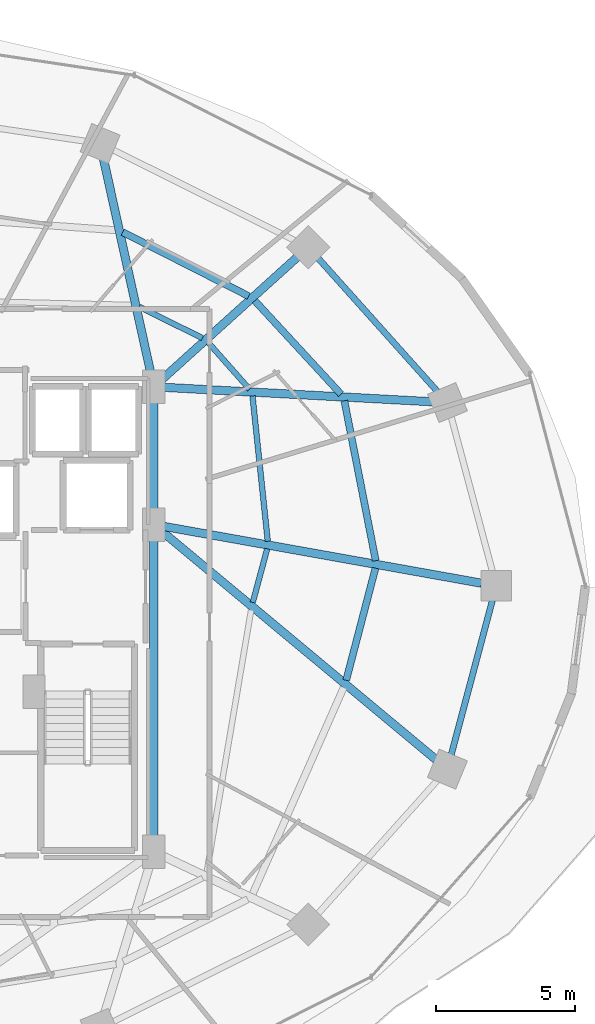
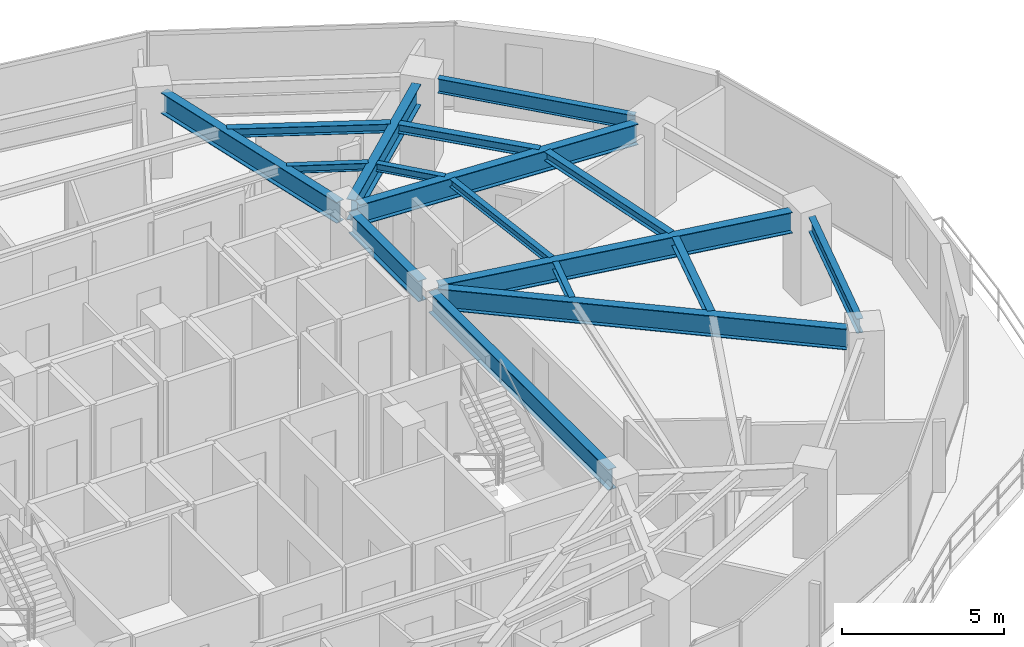
# One storey, part 14 of 29: 17 beams.
"""IFC4 building model written with IfcOpenShell, lengths in metres."""

from ifc_helpers import new_model, si_unit, direction, frame, origin, origin_2d, place, context, subcontext, project, spatial, i_section, extrude, material, material_profile, profile_set, type_object, element, save


model = new_model("IFC4")

# Units and contexts
model_context = context("Model", 3, precision=1e-05, world=origin(), true_north=direction((0.0, 1.0)))
body_context = subcontext(model_context, "Body", "Model", "MODEL_VIEW")
ifc_project = project(units=[si_unit("LENGTHUNIT", "METRE"), si_unit("AREAUNIT", "SQUARE_METRE"), si_unit("VOLUMEUNIT", "CUBIC_METRE"), si_unit("PLANEANGLEUNIT", "RADIAN"), si_unit("MASSUNIT", "GRAM", prefix="KILO")], contexts=[model_context])

# Site, building, storey
site_placement = place(None, origin())
site = spatial("IfcSite", under=ifc_project, at=site_placement, CompositionType="ELEMENT")
building_placement = place(site_placement, origin())
building = spatial("IfcBuilding", under=site, at=building_placement, Name="Vorneva Point Tower", CompositionType="ELEMENT")
storey_placement = place(building_placement, frame((0.0, 0.0, 110.300048828125)))
storey = spatial("IfcBuildingStorey", under=building, at=storey_placement, Name="L29", CompositionType="ELEMENT", Elevation=110.300048828125)

# Beams
ifc_material = material(Name="Steel S355", Category="steel")
ifc_material_profile_1 = material_profile(ifc_material, i_section(OverallWidth=0.300048828125, OverallDepth=0.7880859375, WebThickness=0.014404296875, FlangeThickness=0.02197265625, at=origin_2d()), Name="80Sh1")
ifc_profile_set_1 = profile_set([ifc_material_profile_1], Name="Steel S355")
beam_type_1 = type_object("IfcBeamType", Name="BM-GRD-80Sh1", PredefinedType="USERDEFINED", material=ifc_profile_set_1)
beam_1_placement = place(storey_placement, frame((60.5205078125, 26.0947265625, 2.845947265625), z_axis=(-0.984378310682, 0.176066298476, 0.0), x_axis=(-0.176066298476, -0.984378310682, 0.0)))
element("IfcBeam", 1, at=beam_1_placement, inside=storey, type_object=beam_type_1, Name="L29 Radial Primary Girder 01", ObjectType="GIRDER", PredefinedType="USERDEFINED", context=body_context, shape_type="SweptSolid", body=[
    extrude(i_section(OverallWidth=0.300048828125, OverallDepth=0.7880859375, WebThickness=0.014404296875, FlangeThickness=0.02197265625, at=origin_2d()), origin(), (0.0, 0.0, 1.0), 11.6171875),
])
beam_2_placement = place(storey_placement, frame((58.75830078125, 32.611083984375, 2.845947265625), z_axis=(-0.998554075878, 0.053756465161, 0.0), x_axis=(-0.053756465161, -0.998554075878, 0.0)))
element("IfcBeam", 2, at=beam_2_placement, inside=storey, type_object=beam_type_1, Name="L29 Radial Primary Girder 02", ObjectType="GIRDER", PredefinedType="USERDEFINED", context=body_context, shape_type="SweptSolid", body=[
    extrude(i_section(OverallWidth=0.300048828125, OverallDepth=0.7880859375, WebThickness=0.014404296875, FlangeThickness=0.02197265625, at=origin_2d()), origin(), (0.0, 0.0, 1.0), 9.6826171875),
])
beam_3_placement = place(storey_placement, frame((53.899658203125, 37.801513671875, 2.845947265625), z_axis=(-0.742097300344, -0.670292172729, 0.0), x_axis=(0.670292172729, -0.742097300344, 0.0)))
element("IfcBeam", 3, at=beam_3_placement, inside=storey, type_object=beam_type_1, Name="L29 Radial Primary Girder 03", ObjectType="GIRDER", PredefinedType="USERDEFINED", context=body_context, shape_type="SweptSolid", body=[
    extrude(i_section(OverallWidth=0.300048828125, OverallDepth=0.7880859375, WebThickness=0.014404296875, FlangeThickness=0.02197265625, at=origin_2d()), origin(), (0.0, 0.0, 1.0), 6.599365234375),
])
beam_4_placement = place(storey_placement, frame((46.936767578125, 41.365234375, 2.845947265625), z_axis=(0.215530944428, -0.976497010745, 0.0), x_axis=(0.976497010745, 0.215530944428, 0.0)))
element("IfcBeam", 4, at=beam_4_placement, inside=storey, type_object=beam_type_1, Name="L29 Radial Primary Girder 04", ObjectType="GIRDER", PredefinedType="USERDEFINED", context=body_context, shape_type="SweptSolid", body=[
    extrude(i_section(OverallWidth=0.300048828125, OverallDepth=0.7880859375, WebThickness=0.014404296875, FlangeThickness=0.02197265625, at=origin_2d()), origin(), (0.0, 0.0, 1.0), 8.072998046875),
])
beam_5_placement = place(storey_placement, frame((58.882080078125, 19.76220703125, 2.845947265625), z_axis=(-0.768431550428, 0.639931990376, 0.0), x_axis=(-0.639931990376, -0.768431550428, 0.0)))
element("IfcBeam", 5, at=beam_5_placement, inside=storey, type_object=beam_type_1, Name="L29 Radial Primary Girder 16", ObjectType="GIRDER", PredefinedType="USERDEFINED", context=body_context, shape_type="SweptSolid", body=[
    extrude(i_section(OverallWidth=0.300048828125, OverallDepth=0.7880859375, WebThickness=0.014404296875, FlangeThickness=0.02197265625, at=origin_2d()), origin(), (0.0, 0.0, 1.0), 12.845458984375),
])
beam_6_placement = place(storey_placement, frame((48.75, 16.77001953125, 2.845947265625), z_axis=(0.0, 1.0, 0.0), x_axis=(-1.0, 0.0, 0.0)))
element("IfcBeam", 6, at=beam_6_placement, inside=storey, type_object=beam_type_1, Name="L29 Core Tie Girder CT3", ObjectType="GIRDER", PredefinedType="USERDEFINED", context=body_context, shape_type="SweptSolid", body=[
    extrude(i_section(OverallWidth=0.300048828125, OverallDepth=0.7880859375, WebThickness=0.014404296875, FlangeThickness=0.02197265625, at=origin_2d()), origin(), (0.0, 0.0, 1.0), 11.10986328125),
])
beam_7_placement = place(storey_placement, frame((48.75, 28.52001953125, 2.845947265625), z_axis=(0.0, 1.0, 0.0), x_axis=(-1.0, 0.0, 0.0)))
element("IfcBeam", 7, at=beam_7_placement, inside=storey, type_object=beam_type_1, Name="L29 Core Tie Girder CT4", ObjectType="GIRDER", PredefinedType="USERDEFINED", context=body_context, shape_type="SweptSolid", body=[
    extrude(i_section(OverallWidth=0.300048828125, OverallDepth=0.7880859375, WebThickness=0.014404296875, FlangeThickness=0.02197265625, at=origin_2d()), origin(), (0.0, 0.0, 1.0), 4.31005859375),
])
ifc_material_profile_2 = material_profile(ifc_material, i_section(OverallWidth=0.199951171875, OverallDepth=0.291015625, WebThickness=0.008056640625, FlangeThickness=0.010986328125, at=origin_2d()), Name="30Sh1")
ifc_profile_set_2 = profile_set([ifc_material_profile_2], Name="Steel S355")
beam_type_2 = type_object("IfcBeamType", Name="BM-SEC-30Sh1", PredefinedType="BEAM", material=ifc_profile_set_2)
beam_8_placement = place(storey_placement, frame((52.843994140625, 27.602294921875, 3.094482421875), z_axis=(-0.10464604788, 0.994509529699, 0.0), x_axis=(-0.994509529699, -0.10464604788, 0.0)))
element("IfcBeam", 8, at=beam_8_placement, inside=storey, type_object=beam_type_2, Name="L29 Secondary Floor Beam 2.01", PredefinedType="BEAM", context=body_context, shape_type="SweptSolid", body=[
    extrude(i_section(OverallWidth=0.199951171875, OverallDepth=0.291015625, WebThickness=0.008056640625, FlangeThickness=0.010986328125, at=origin_2d()), origin(), (0.0, 0.0, 1.0), 5.249267578125),
])
beam_9_placement = place(storey_placement, frame((52.188720703125, 33.063232421875, 3.094482421875), z_axis=(-0.662684826544, 0.748898404771, 0.0), x_axis=(-0.748898404771, -0.662684826544, 0.0)))
element("IfcBeam", 9, at=beam_9_placement, inside=storey, type_object=beam_type_2, Name="L29 Secondary Floor Beam 2.02", PredefinedType="BEAM", context=body_context, shape_type="SweptSolid", body=[
    extrude(i_section(OverallWidth=0.199951171875, OverallDepth=0.291015625, WebThickness=0.008056640625, FlangeThickness=0.010986328125, at=origin_2d()), origin(), (0.0, 0.0, 1.0), 2.2314453125),
])
beam_10_placement = place(storey_placement, frame((50.49462890625, 34.89892578125, 3.094482421875), z_axis=(-0.896137449279, 0.443776601456, 0.0), x_axis=(-0.443776601456, -0.896137449279, 0.0)))
element("IfcBeam", 10, at=beam_10_placement, inside=storey, type_object=beam_type_2, Name="L29 Secondary Floor Beam 2.03", PredefinedType="BEAM", context=body_context, shape_type="SweptSolid", body=[
    extrude(i_section(OverallWidth=0.199951171875, OverallDepth=0.291015625, WebThickness=0.008056640625, FlangeThickness=0.010986328125, at=origin_2d()), origin(), (0.0, 0.0, 1.0), 2.53125),
])
beam_11_placement = place(storey_placement, frame((52.304443359375, 25.403076171875, 3.094482421875), z_axis=(0.25952628154, 0.965736045299, 0.0), x_axis=(-0.965736045299, 0.25952628154, 0.0)))
element("IfcBeam", 11, at=beam_11_placement, inside=storey, type_object=beam_type_2, Name="L29 Secondary Floor Beam 2.16", PredefinedType="BEAM", context=body_context, shape_type="SweptSolid", body=[
    extrude(i_section(OverallWidth=0.199951171875, OverallDepth=0.291015625, WebThickness=0.008056640625, FlangeThickness=0.010986328125, at=origin_2d()), origin(), (0.0, 0.0, 1.0), 1.9970703125),
])
ifc_material_profile_3 = material_profile(ifc_material, i_section(OverallWidth=0.2490234375, OverallDepth=0.333984375, WebThickness=0.008056640625, FlangeThickness=0.010986328125, at=origin_2d()), Name="35Sh1")
ifc_profile_set_3 = profile_set([ifc_material_profile_3], Name="Steel S355")
beam_type_3 = type_object("IfcBeamType", Name="BM-SEC-35Sh1", PredefinedType="BEAM", material=ifc_profile_set_3)
beam_12_placement = place(storey_placement, frame((56.72021484375, 26.905029296875, 3.072998046875), z_axis=(-0.192456211841, 0.981305562261, 0.0), x_axis=(-0.981305562261, -0.192456211841, 0.0)))
element("IfcBeam", 12, at=beam_12_placement, inside=storey, type_object=beam_type_3, Name="L29 Secondary Floor Beam 1.01", PredefinedType="BEAM", context=body_context, shape_type="SweptSolid", body=[
    extrude(i_section(OverallWidth=0.2490234375, OverallDepth=0.333984375, WebThickness=0.008056640625, FlangeThickness=0.010986328125, at=origin_2d()), origin(), (0.0, 0.0, 1.0), 5.851806640625),
])
beam_13_placement = place(storey_placement, frame((55.473876953125, 32.88427734375, 3.072998046875), z_axis=(-0.67812021116, 0.734951004637, 0.0), x_axis=(-0.734951004637, -0.67812021116, 0.0)))
element("IfcBeam", 13, at=beam_13_placement, inside=storey, type_object=beam_type_3, Name="L29 Secondary Floor Beam 1.02", PredefinedType="BEAM", context=body_context, shape_type="SweptSolid", body=[
    extrude(i_section(OverallWidth=0.2490234375, OverallDepth=0.333984375, WebThickness=0.008056640625, FlangeThickness=0.010986328125, at=origin_2d()), origin(), (0.0, 0.0, 1.0), 4.566650390625),
])
beam_14_placement = place(storey_placement, frame((52.160400390625, 36.404296875, 3.072998046875), z_axis=(-0.891736950486, 0.452554097471, 0.0), x_axis=(-0.452554097471, -0.891736950486, 0.0)))
element("IfcBeam", 14, at=beam_14_placement, inside=storey, type_object=beam_type_3, Name="L29 Secondary Floor Beam 1.03", PredefinedType="BEAM", context=body_context, shape_type="SweptSolid", body=[
    extrude(i_section(OverallWidth=0.2490234375, OverallDepth=0.333984375, WebThickness=0.008056640625, FlangeThickness=0.010986328125, at=origin_2d()), origin(), (0.0, 0.0, 1.0), 5.075927734375),
])
beam_15_placement = place(storey_placement, frame((55.659423828125, 22.6083984375, 3.072998046875), z_axis=(0.252760882145, 0.967528778103, 0.0), x_axis=(-0.967528778103, 0.252760882145, 0.0)))
element("IfcBeam", 15, at=beam_15_placement, inside=storey, type_object=beam_type_3, Name="L29 Secondary Floor Beam 1.16", PredefinedType="BEAM", context=body_context, shape_type="SweptSolid", body=[
    extrude(i_section(OverallWidth=0.2490234375, OverallDepth=0.333984375, WebThickness=0.008056640625, FlangeThickness=0.010986328125, at=origin_2d()), origin(), (0.0, 0.0, 1.0), 4.1630859375),
])
ifc_material_profile_4 = material_profile(ifc_material, i_section(OverallWidth=0.219970703125, OverallDepth=0.54296875, WebThickness=0.009521484375, FlangeThickness=0.013427734375, at=origin_2d()), Name="55B1")
ifc_profile_set_4 = profile_set([ifc_material_profile_4], Name="Steel S355")
beam_type_4 = type_object("IfcBeamType", Name="BM-SPN-55B1", PredefinedType="SPANDREL", material=ifc_profile_set_4)
beam_16_placement = place(storey_placement, frame((58.9384765625, 32.980712890625, 2.968505859375), z_axis=(-0.667073815664, 0.744991627105, 0.0), x_axis=(-0.744991627105, -0.667073815664, 0.0)))
element("IfcBeam", 16, at=beam_16_placement, inside=storey, type_object=beam_type_4, Name="L29 Perimeter Spandrel Ring Beam 02", PredefinedType="SPANDREL", context=body_context, shape_type="SweptSolid", body=[
    extrude(i_section(OverallWidth=0.219970703125, OverallDepth=0.54296875, WebThickness=0.009521484375, FlangeThickness=0.013427734375, at=origin_2d()), origin(), (0.0, 0.0, 1.0), 6.420166015625),
])
beam_17_placement = place(storey_placement, frame((59.43310546875, 19.934814453125, 2.968505859375), z_axis=(0.257572674071, 0.966258928845, 0.0), x_axis=(-0.966258928845, 0.257572674071, 0.0)))
element("IfcBeam", 17, at=beam_17_placement, inside=storey, type_object=beam_type_4, Name="L29 Perimeter Spandrel Ring Beam 16", PredefinedType="SPANDREL", context=body_context, shape_type="SweptSolid", body=[
    extrude(i_section(OverallWidth=0.219970703125, OverallDepth=0.54296875, WebThickness=0.009521484375, FlangeThickness=0.013427734375, at=origin_2d()), origin(), (0.0, 0.0, 1.0), 5.7421875),
])

save(model, "model.ifc")
